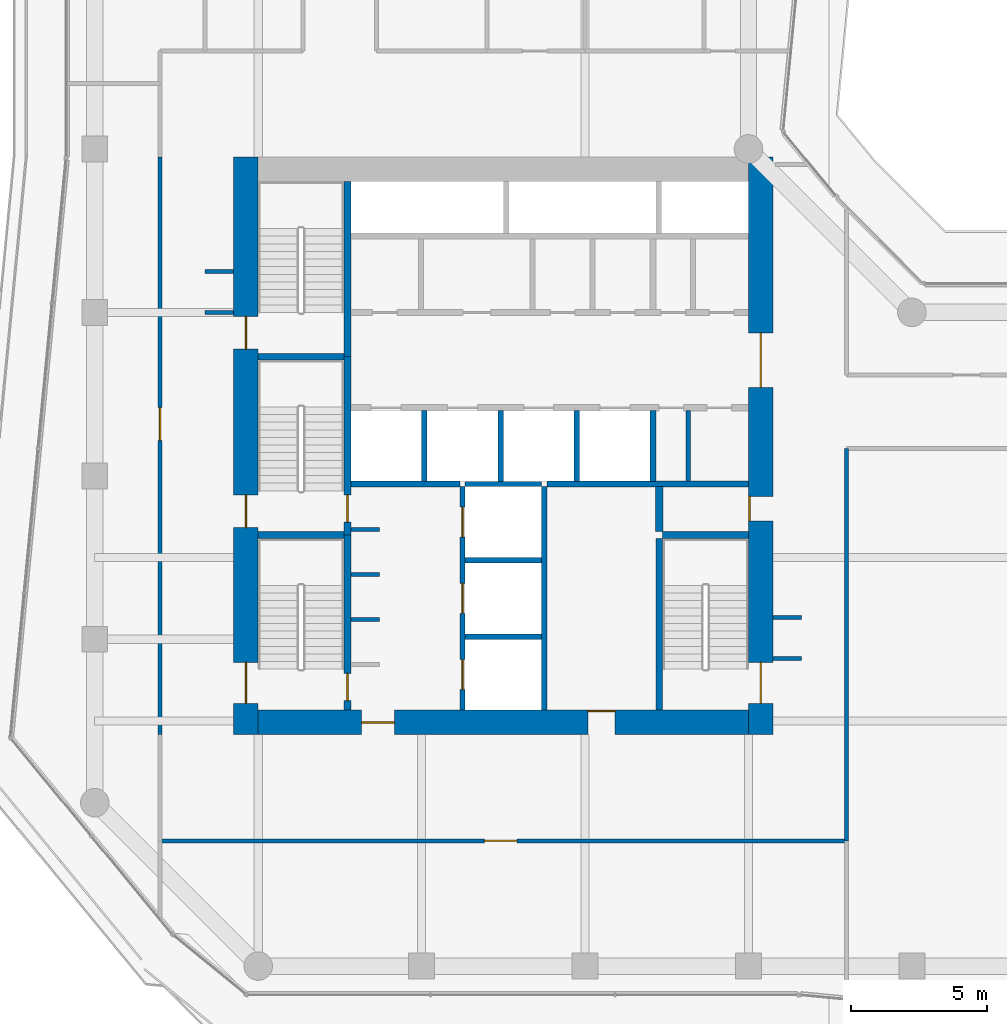
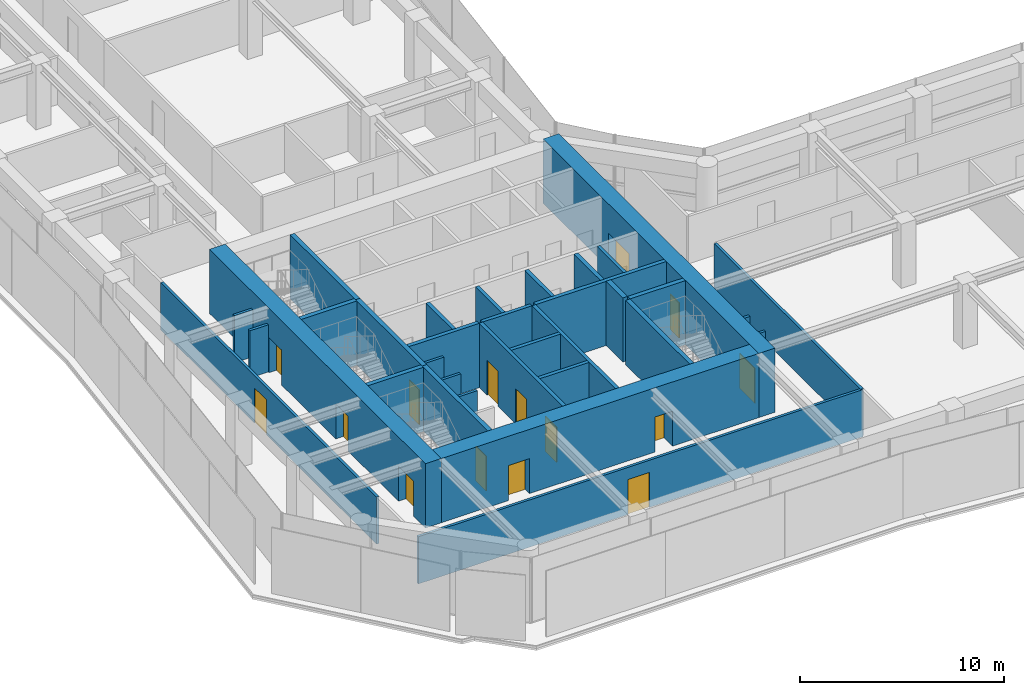
# One storey, part 25 of 31: 33 walls, 15 doors, 15 openings.
"""IFC4 building model written with IfcOpenShell, lengths in metres."""

from ifc_helpers import new_model, si_unit, direction, frame, frame_2d, origin, place, context, subcontext, project, spatial, rectangle, extrude, material, layer, layer_set, type_object, element, fill, save


model = new_model("IFC4")

# Units and contexts
model_context = context("Model", 3, precision=1e-05, world=origin(), true_north=direction((0.0, 1.0)))
body_context = subcontext(model_context, "Body", "Model", "MODEL_VIEW")
ifc_project = project(units=[si_unit("LENGTHUNIT", "METRE"), si_unit("AREAUNIT", "SQUARE_METRE"), si_unit("VOLUMEUNIT", "CUBIC_METRE"), si_unit("PLANEANGLEUNIT", "RADIAN"), si_unit("MASSUNIT", "GRAM", prefix="KILO")], contexts=[model_context])

# Site, building, storey
site_placement = place(None, origin())
site = spatial("IfcSite", under=ifc_project, at=site_placement, CompositionType="ELEMENT")
building_placement = place(site_placement, origin())
building = spatial("IfcBuilding", under=site, at=building_placement, Name="Welwitschia Terrace Campus", CompositionType="ELEMENT")
storey_placement = place(building_placement, frame((0.0, 0.0, 29.0)))
storey = spatial("IfcBuildingStorey", under=building, at=storey_placement, Name="L06", CompositionType="ELEMENT", Elevation=29.0)

# Walls
ifc_material_1 = material(Name="Concrete C32/40", Category="concrete")
ifc_layer_1 = layer(ifc_material_1, 0.175048828125)
ifc_layer_set_1 = layer_set([ifc_layer_1], Name="Concrete C32/40")
wall_type_1 = type_object("IfcWallType", Name="Core partition 175 Concrete C32/40", PredefinedType="PARTITIONING", material=ifc_layer_set_1)
wall_1_placement = place(storey_placement, frame((21.7900390625, 13.800048828125, 0.0), z_axis=(0.0, 0.0, 1.0), x_axis=(0.0, 1.0, 0.0)))
element("IfcWall", 1, at=wall_1_placement, inside=storey, type_object=wall_type_1, Name="Core partition", PredefinedType="PARTITIONING", context=body_context, shape_type="SweptSolid", body=[
    extrude(rectangle(XDim=2.599853515625, YDim=0.175048828125, at=frame_2d((1.2998046875, 0.0))), origin(), (0.0, 0.0, 1.0), 3.85009765625),
])
ifc_material_2 = material(Name="Concrete C32/40", Category="concrete")
ifc_layer_2 = layer(ifc_material_2, 0.22509765625)
ifc_layer_set_2 = layer_set([ifc_layer_2], Name="Concrete C32/40")
wall_type_2 = type_object("IfcWallType", Name="Core partition 225 Concrete C32/40", PredefinedType="PARTITIONING", material=ifc_layer_set_2)
wall_2_placement = place(storey_placement, frame((9.39990234375, 13.699951171875, 0.0), z_axis=(0.0, 0.0, 1.0), x_axis=(1.0, 0.0, 0.0)))
element("IfcWall", 2, at=wall_2_placement, inside=storey, type_object=wall_type_2, Name="Shaft wall", PredefinedType="PARTITIONING", context=body_context, shape_type="SweptSolid", body=[
    extrude(rectangle(XDim=4.0, YDim=0.22509765625, at=frame_2d((2.0, 0.0))), origin(), (0.0, 0.0, 1.0), 3.85009765625),
])
wall_3_placement = place(storey_placement, frame((16.60009765625, 13.699951171875, 0.0), z_axis=(0.0, 0.0, 1.0), x_axis=(1.0, 0.0, 0.0)))
element("IfcWall", 3, at=wall_3_placement, inside=storey, type_object=wall_type_2, Name="Shaft wall", PredefinedType="PARTITIONING", context=body_context, shape_type="SweptSolid", body=[
    extrude(rectangle(XDim=7.39990234375, YDim=0.22509765625, at=frame_2d((3.699951171875, 0.0))), origin(), (0.0, 0.0, 1.0), 3.85009765625),
])
wall_4_placement = place(storey_placement, frame((20.5, 13.800048828125, 0.0), z_axis=(0.0, 0.0, 1.0), x_axis=(0.0, 1.0, 0.0)))
element("IfcWall", 4, at=wall_4_placement, inside=storey, type_object=wall_type_2, Name="Shaft wall", PredefinedType="PARTITIONING", context=body_context, shape_type="SweptSolid", body=[
    extrude(rectangle(XDim=2.599853515625, YDim=0.22509765625, at=frame_2d((1.2998046875, 0.0))), origin(), (0.0, 0.0, 1.0), 3.85009765625),
])
ifc_material_3 = material(Name="Concrete C32/40", Category="concrete")
ifc_layer_3 = layer(ifc_material_3, 0.27490234375)
ifc_layer_set_3 = layer_set([ifc_layer_3], Name="Concrete C32/40")
wall_type_3 = type_object("IfcWallType", Name="Core partition 275 Concrete C32/40", PredefinedType="PARTITIONING", material=ifc_layer_set_3)
wall_5_placement = place(storey_placement, frame((20.72509765625, 11.949951171875, 0.0), z_axis=(0.0, 0.0, 1.0), x_axis=(0.0, 1.0, 0.0)))
element("IfcWall", 5, at=wall_5_placement, inside=storey, type_object=wall_type_3, Name="Core partition", PredefinedType="PARTITIONING", context=body_context, shape_type="SweptSolid", body=[
    extrude(rectangle(XDim=1.650146484375, YDim=0.27490234375, at=frame_2d((0.8251953125, 0.0))), origin(), (0.0, 0.0, 1.0), 3.85009765625),
])
ifc_material_4 = material(Name="Concrete C50/60", Category="concrete")
ifc_layer_4 = layer(ifc_material_4, 0.14990234375)
ifc_layer_set_4 = layer_set([ifc_layer_4], Name="Concrete C50/60")
wall_type_4 = type_object("IfcWallType", Name="Core wall 150 Concrete C50/60", PredefinedType="SHEAR", material=ifc_layer_set_4)
for number, where, z_axis, x_axis, name in (
    (6, (9.39990234375, 8.72509765625, 0.0), (0.0, 0.0, 1.0), (1.0, 0.0, 0.0), "Core wall"),
    (7, (9.39990234375, 10.375, 0.0), (0.0, 0.0, 1.0), (1.0, 0.0, 0.0), "Core wall"),
    (8, (9.39990234375, 12.02490234375, 0.0), (0.0, 0.0, 1.0), (1.0, 0.0, 0.0), "Core wall"),
):
    element("IfcWall", number, at=place(storey_placement, frame(where, z_axis=z_axis, x_axis=x_axis)), inside=storey, type_object=wall_type_4, Name=name, PredefinedType="SHEAR", context=body_context, shape_type="SweptSolid", body=[
        extrude(rectangle(XDim=1.050048828125, YDim=0.14990234375, at=frame_2d((0.52490234375, 0.0))), origin(), (0.0, 0.0, 1.0), 3.85009765625),
    ])
ifc_material_5 = material(Name="Concrete C50/60", Category="concrete")
ifc_layer_5 = layer(ifc_material_5, 0.199951171875)
ifc_layer_set_5 = layer_set([ifc_layer_5], Name="Concrete C50/60")
wall_type_5 = type_object("IfcWallType", Name="Core wall 200 Concrete C50/60", PredefinedType="SHEAR", material=ifc_layer_set_5)
for number, where, z_axis, x_axis, name in (
    (9, (13.60009765625, 8.10009765625, 0.0), (0.0, 0.0, 1.0), (1.0, 0.0, 0.0), "Core wall"),
    (10, (13.60009765625, 10.89990234375, 0.0), (0.0, 0.0, 1.0), (1.0, 0.0, 0.0), "Core wall"),
    (11, (13.60009765625, 13.699951171875, 0.0), (0.0, 0.0, 1.0), (1.0, 0.0, 0.0), "Core wall"),
):
    element("IfcWall", number, at=place(storey_placement, frame(where, z_axis=z_axis, x_axis=x_axis)), inside=storey, type_object=wall_type_5, Name=name, PredefinedType="SHEAR", context=body_context, shape_type="SweptSolid", body=[
        extrude(rectangle(XDim=2.7998046875, YDim=0.199951171875, at=frame_2d((1.39990234375, 0.0))), origin(), (0.0, 0.0, 1.0), 3.85009765625),
    ])

# Wall, openings, doors
wall_6_placement = place(storey_placement, frame((13.5, 5.39990234375, 0.0), z_axis=(0.0, 0.0, 1.0), x_axis=(0.0, 1.0, 0.0)))
wall_6 = element("IfcWall", 12, at=wall_6_placement, inside=storey, type_object=wall_type_5, Name="Core wall", PredefinedType="SHEAR", context=body_context, shape_type="SweptSolid", body=[
    extrude(rectangle(XDim=8.2001953125, YDim=0.199951171875, at=frame_2d((4.10009765625, 0.0))), origin(), (0.0, 0.0, 1.0), 3.85009765625),
])
opening_1_placement = place(wall_6_placement, frame((0.75, 0.0, 0.0)))
opening_1 = element("IfcOpeningElement", 13, at=opening_1_placement, cuts=wall_6, Name="Opening LD", PredefinedType="OPENING", context=body_context, shape_type="SweptSolid", body=[
    extrude(rectangle(XDim=1.10009765625, YDim=2.10009765625, at=frame_2d((0.550048828125, 1.050048828125))), frame((0.0, 0.10986328125, 0.0), z_axis=(0.0, -1.0, 0.0), x_axis=(1.0, 0.0, 0.0)), (0.0, 0.0, 1.0), 0.219970703125),
])
opening_2_placement = place(wall_6_placement, frame((3.550048828125, 0.0, 0.0)))
opening_2 = element("IfcOpeningElement", 14, at=opening_2_placement, cuts=wall_6, Name="Opening LD", PredefinedType="OPENING", context=body_context, shape_type="SweptSolid", body=[
    extrude(rectangle(XDim=1.10009765625, YDim=2.10009765625, at=frame_2d((0.550048828125, 1.050048828125))), frame((0.0, 0.10986328125, 0.0), z_axis=(0.0, -1.0, 0.0), x_axis=(1.0, 0.0, 0.0)), (0.0, 0.0, 1.0), 0.219970703125),
])
opening_3_placement = place(wall_6_placement, frame((6.35009765625, 0.0, 0.0)))
opening_3 = element("IfcOpeningElement", 15, at=opening_3_placement, cuts=wall_6, Name="Opening LD", PredefinedType="OPENING", context=body_context, shape_type="SweptSolid", body=[
    extrude(rectangle(XDim=1.10009765625, YDim=2.10009765625, at=frame_2d((0.550048828125, 1.050048828125))), frame((0.0, 0.10986328125, 0.0), z_axis=(0.0, -1.0, 0.0), x_axis=(1.0, 0.0, 0.0)), (0.0, 0.0, 1.0), 0.219970703125),
])
ifc_material_6 = material(Name="Stainless steel 304", Category="steel")
door_type_1 = type_object("IfcDoorType", Name="Lift landing door", OperationType="DOUBLE_DOOR_SLIDING", PredefinedType="DOOR", material=ifc_material_6)
door_1_placement = place(opening_1_placement, origin())
door_1 = element("IfcDoor", 16, at=door_1_placement, inside=storey, type_object=door_type_1, Name="Landing door FF1", OperationType="DOUBLE_DOOR_SLIDING", OverallHeight=2.10009765625, OverallWidth=1.10009765625, PredefinedType="DOOR", context=body_context, shape_type="SweptSolid", body=[
    extrude(rectangle(XDim=1.10009765625, YDim=2.10009765625, at=frame_2d((0.550048828125, 1.050048828125))), frame((0.0, 0.02490234375, 0.0), z_axis=(0.0, -1.0, 0.0), x_axis=(1.0, 0.0, 0.0)), (0.0, 0.0, 1.0), 0.050048828125),
])
fill(opening_1, door_1)
door_2_placement = place(opening_2_placement, origin())
door_2 = element("IfcDoor", 17, at=door_2_placement, inside=storey, type_object=door_type_1, Name="Landing door FF2", OperationType="DOUBLE_DOOR_SLIDING", OverallHeight=2.10009765625, OverallWidth=1.10009765625, PredefinedType="DOOR", context=body_context, shape_type="SweptSolid", body=[
    extrude(rectangle(XDim=1.10009765625, YDim=2.10009765625, at=frame_2d((0.550048828125, 1.050048828125))), frame((0.0, 0.02490234375, 0.0), z_axis=(0.0, -1.0, 0.0), x_axis=(1.0, 0.0, 0.0)), (0.0, 0.0, 1.0), 0.050048828125),
])
fill(opening_2, door_2)
door_3_placement = place(opening_3_placement, origin())
door_3 = element("IfcDoor", 18, at=door_3_placement, inside=storey, type_object=door_type_1, Name="Landing door SV1", OperationType="DOUBLE_DOOR_SLIDING", OverallHeight=2.10009765625, OverallWidth=1.10009765625, PredefinedType="DOOR", context=body_context, shape_type="SweptSolid", body=[
    extrude(rectangle(XDim=1.10009765625, YDim=2.10009765625, at=frame_2d((0.550048828125, 1.050048828125))), frame((0.0, 0.02490234375, 0.0), z_axis=(0.0, -1.0, 0.0), x_axis=(1.0, 0.0, 0.0)), (0.0, 0.0, 1.0), 0.050048828125),
])
fill(opening_3, door_3)

# Walls
wall_7_placement = place(storey_placement, frame((16.5, 5.39990234375, 0.0), z_axis=(0.0, 0.0, 1.0), x_axis=(0.0, 1.0, 0.0)))
element("IfcWall", 19, at=wall_7_placement, inside=storey, type_object=wall_type_5, Name="Core wall", PredefinedType="SHEAR", context=body_context, shape_type="SweptSolid", body=[
    extrude(rectangle(XDim=8.2001953125, YDim=0.199951171875, at=frame_2d((4.10009765625, 0.0))), origin(), (0.0, 0.0, 1.0), 3.85009765625),
])
ifc_material_7 = material(Name="Concrete C50/60", Category="concrete")
ifc_layer_6 = layer(ifc_material_7, 0.25)
ifc_layer_set_6 = layer_set([ifc_layer_6], Name="Concrete C50/60")
wall_type_6 = type_object("IfcWallType", Name="Core wall 250 Concrete C50/60", PredefinedType="SHEAR", material=ifc_layer_set_6)
for number, where, z_axis, x_axis, name in (
    (20, (6.0, 11.824951171875, 0.0), (0.0, 0.0, 1.0), (1.0, 0.0, 0.0), "Core wall"),
    (21, (20.85009765625, 11.824951171875, 0.0), (0.0, 0.0, 1.0), (1.0, 0.0, 0.0), "Core wall"),
    (22, (6.0, 18.375, 0.0), (0.0, 0.0, 1.0), (1.0, 0.0, 0.0), "Core wall"),
):
    element("IfcWall", number, at=place(storey_placement, frame(where, z_axis=z_axis, x_axis=x_axis)), inside=storey, type_object=wall_type_6, Name=name, PredefinedType="SHEAR", context=body_context, shape_type="SweptSolid", body=[
        extrude(rectangle(XDim=3.14990234375, YDim=0.25, at=frame_2d((1.574951171875, 0.0))), origin(), (0.0, 0.0, 1.0), 3.85009765625),
    ])

# Wall, opening, door
wall_8_placement = place(storey_placement, frame((9.27490234375, 11.824951171875, 0.0), z_axis=(0.0, 0.0, 1.0), x_axis=(0.0, -1.0, 0.0)))
wall_8 = element("IfcWall", 23, at=wall_8_placement, inside=storey, type_object=wall_type_6, Name="Core wall", PredefinedType="SHEAR", context=body_context, shape_type="SweptSolid", body=[
    extrude(rectangle(XDim=6.425048828125, YDim=0.25, at=frame_2d((3.21240234375, 0.0))), origin(), (0.0, 0.0, 1.0), 3.85009765625),
])
opening_4_placement = place(wall_8_placement, frame((5.074951171875, 0.0, 0.0)))
opening_4 = element("IfcOpeningElement", 24, at=opening_4_placement, cuts=wall_8, Name="Opening DS10", PredefinedType="OPENING", context=body_context, shape_type="SweptSolid", body=[
    extrude(rectangle(XDim=1.0, YDim=2.10009765625, at=frame_2d((0.5, 1.050048828125))), frame((0.0, 0.135009765625, 0.0), z_axis=(0.0, -1.0, 0.0), x_axis=(1.0, 0.0, 0.0)), (0.0, 0.0, 1.0), 0.27001953125),
])
ifc_material_8 = material(Name="Steel S275", Category="steel")
door_type_2 = type_object("IfcDoorType", Name="Core door DS10", OperationType="SINGLE_SWING_LEFT", PredefinedType="DOOR", material=ifc_material_8)
door_4_placement = place(opening_4_placement, origin())
door_4 = element("IfcDoor", 25, at=door_4_placement, inside=storey, type_object=door_type_2, Name="Door S1-FL", OperationType="SINGLE_SWING_RIGHT", OverallHeight=2.10009765625, OverallWidth=1.0, PredefinedType="DOOR", context=body_context, shape_type="SweptSolid", body=[
    extrude(rectangle(XDim=1.0, YDim=2.10009765625, at=frame_2d((0.5, 1.050048828125))), frame((0.0, 0.02490234375, 0.0), z_axis=(0.0, -1.0, 0.0), x_axis=(1.0, 0.0, 0.0)), (0.0, 0.0, 1.0), 0.050048828125),
])
fill(opening_4, door_4)

wall_9_placement = place(storey_placement, frame((9.27490234375, 18.375, 0.0), z_axis=(0.0, 0.0, 1.0), x_axis=(0.0, -1.0, 0.0)))
wall_9 = element("IfcWall", 26, at=wall_9_placement, inside=storey, type_object=wall_type_6, Name="Core wall", PredefinedType="SHEAR", context=body_context, shape_type="SweptSolid", body=[
    extrude(rectangle(XDim=6.550048828125, YDim=0.25, at=frame_2d((3.27490234375, 0.0))), origin(), (0.0, 0.0, 1.0), 3.85009765625),
])
opening_5_placement = place(wall_9_placement, frame((5.074951171875, 0.0, 0.0)))
opening_5 = element("IfcOpeningElement", 27, at=opening_5_placement, cuts=wall_9, Name="Opening DS10", PredefinedType="OPENING", context=body_context, shape_type="SweptSolid", body=[
    extrude(rectangle(XDim=1.0, YDim=2.10009765625, at=frame_2d((0.5, 1.050048828125))), frame((0.0, 0.135009765625, 0.0), z_axis=(0.0, -1.0, 0.0), x_axis=(1.0, 0.0, 0.0)), (0.0, 0.0, 1.0), 0.27001953125),
])
door_5_placement = place(opening_5_placement, origin())
door_5 = element("IfcDoor", 28, at=door_5_placement, inside=storey, type_object=door_type_2, Name="Door S3-FL", OperationType="SINGLE_SWING_RIGHT", OverallHeight=2.10009765625, OverallWidth=1.0, PredefinedType="DOOR", context=body_context, shape_type="SweptSolid", body=[
    extrude(rectangle(XDim=1.0, YDim=2.10009765625, at=frame_2d((0.5, 1.050048828125))), frame((0.0, 0.02490234375, 0.0), z_axis=(0.0, -1.0, 0.0), x_axis=(1.0, 0.0, 0.0)), (0.0, 0.0, 1.0), 0.050048828125),
])
fill(opening_5, door_5)

# Walls
wall_10_placement = place(storey_placement, frame((9.27490234375, 18.375, 0.0), z_axis=(0.0, 0.0, 1.0), x_axis=(0.0, 1.0, 0.0)))
element("IfcWall", 29, at=wall_10_placement, inside=storey, type_object=wall_type_6, Name="Core wall", PredefinedType="SHEAR", context=body_context, shape_type="SweptSolid", body=[
    extrude(rectangle(XDim=6.425048828125, YDim=0.25, at=frame_2d((3.21240234375, 0.0))), origin(), (0.0, 0.0, 1.0), 3.85009765625),
])
wall_11_placement = place(storey_placement, frame((20.72509765625, 5.39990234375, 0.0), z_axis=(0.0, 0.0, 1.0), x_axis=(0.0, 1.0, 0.0)))
element("IfcWall", 30, at=wall_11_placement, inside=storey, type_object=wall_type_6, Name="Core wall", PredefinedType="SHEAR", context=body_context, shape_type="SweptSolid", body=[
    extrude(rectangle(XDim=6.300048828125, YDim=0.25, at=frame_2d((3.14990234375, 0.0))), origin(), (0.0, 0.0, 1.0), 3.85009765625),
])

# Wall, openings, doors
ifc_material_9 = material(Name="Concrete C70/85", Category="concrete")
ifc_layer_7 = layer(ifc_material_9, 0.89990234375)
ifc_layer_set_7 = layer_set([ifc_layer_7], Name="Concrete C70/85")
wall_type_7 = type_object("IfcWallType", Name="Core wall 900 Concrete C70/85", PredefinedType="SHEAR", material=ifc_layer_set_7)
wall_12_placement = place(storey_placement, frame((5.550048828125, 4.5, 0.0), z_axis=(0.0, 0.0, 1.0), x_axis=(0.0, 1.0, 0.0)))
wall_12 = element("IfcWall", 31, at=wall_12_placement, inside=storey, type_object=wall_type_7, Name="Core outer wall", PredefinedType="SHEAR", context=body_context, shape_type="SweptSolid", body=[
    extrude(rectangle(XDim=21.199951171875, YDim=0.89990234375, at=frame_2d((10.60009765625, 0.0))), origin(), (0.0, 0.0, 1.0), 3.85009765625),
])
opening_6_placement = place(wall_12_placement, frame((1.14990234375, 0.0, 0.0)))
opening_6 = element("IfcOpeningElement", 32, at=opening_6_placement, cuts=wall_12, Name="Opening DS15", PredefinedType="OPENING", context=body_context, shape_type="SweptSolid", body=[
    extrude(rectangle(XDim=1.5, YDim=2.10009765625, at=frame_2d((0.75, 1.050048828125))), frame((0.0, 0.4599609375, 0.0), z_axis=(0.0, -1.0, 0.0), x_axis=(1.0, 0.0, 0.0)), (0.0, 0.0, 1.0), 0.919921875),
])
opening_7_placement = place(wall_12_placement, frame((7.60009765625, 0.0, 0.0)))
opening_7 = element("IfcOpeningElement", 33, at=opening_7_placement, cuts=wall_12, Name="Opening DS12", PredefinedType="OPENING", context=body_context, shape_type="SweptSolid", body=[
    extrude(rectangle(XDim=1.199951171875, YDim=2.10009765625, at=frame_2d((0.60009765625, 1.050048828125))), frame((0.0, 0.4599609375, 0.0), z_axis=(0.0, -1.0, 0.0), x_axis=(1.0, 0.0, 0.0)), (0.0, 0.0, 1.0), 0.919921875),
])
opening_8_placement = place(wall_12_placement, frame((14.14990234375, 0.0, 0.0)))
opening_8 = element("IfcOpeningElement", 34, at=opening_8_placement, cuts=wall_12, Name="Opening DS12", PredefinedType="OPENING", context=body_context, shape_type="SweptSolid", body=[
    extrude(rectangle(XDim=1.199951171875, YDim=2.10009765625, at=frame_2d((0.60009765625, 1.050048828125))), frame((0.0, 0.4599609375, 0.0), z_axis=(0.0, -1.0, 0.0), x_axis=(1.0, 0.0, 0.0)), (0.0, 0.0, 1.0), 0.919921875),
])
ifc_material_10 = material(Name="Steel S275", Category="steel")
door_type_3 = type_object("IfcDoorType", Name="Core door DS12", OperationType="SINGLE_SWING_LEFT", PredefinedType="DOOR", material=ifc_material_10)
door_6_placement = place(opening_7_placement, origin())
door_6 = element("IfcDoor", 35, at=door_6_placement, inside=storey, type_object=door_type_3, Name="Door S3-out", OperationType="SINGLE_SWING_LEFT", OverallHeight=2.10009765625, OverallWidth=1.199951171875, PredefinedType="DOOR", context=body_context, shape_type="SweptSolid", body=[
    extrude(rectangle(XDim=1.199951171875, YDim=2.10009765625, at=frame_2d((0.60009765625, 1.050048828125))), frame((0.0, 0.02490234375, 0.0), z_axis=(0.0, -1.0, 0.0), x_axis=(1.0, 0.0, 0.0)), (0.0, 0.0, 1.0), 0.050048828125),
])
fill(opening_7, door_6)
door_7_placement = place(opening_8_placement, origin())
door_7 = element("IfcDoor", 36, at=door_7_placement, inside=storey, type_object=door_type_3, Name="Door S4-out", OperationType="SINGLE_SWING_RIGHT", OverallHeight=2.10009765625, OverallWidth=1.199951171875, PredefinedType="DOOR", context=body_context, shape_type="SweptSolid", body=[
    extrude(rectangle(XDim=1.199951171875, YDim=2.10009765625, at=frame_2d((0.60009765625, 1.050048828125))), frame((0.0, 0.02490234375, 0.0), z_axis=(0.0, -1.0, 0.0), x_axis=(1.0, 0.0, 0.0)), (0.0, 0.0, 1.0), 0.050048828125),
])
fill(opening_8, door_7)
ifc_material_11 = material(Name="Steel S275", Category="steel")
door_type_4 = type_object("IfcDoorType", Name="Core door DS15", OperationType="DOUBLE_DOOR_SINGLE_SWING", PredefinedType="DOOR", material=ifc_material_11)
door_8_placement = place(opening_6_placement, origin())
door_8 = element("IfcDoor", 37, at=door_8_placement, inside=storey, type_object=door_type_4, Name="Door S1-out", OperationType="DOUBLE_DOOR_SINGLE_SWING", OverallHeight=2.10009765625, OverallWidth=1.5, PredefinedType="DOOR", context=body_context, shape_type="SweptSolid", body=[
    extrude(rectangle(XDim=1.5, YDim=2.10009765625, at=frame_2d((0.75, 1.050048828125))), frame((0.0, 0.02490234375, 0.0), z_axis=(0.0, -1.0, 0.0), x_axis=(1.0, 0.0, 0.0)), (0.0, 0.0, 1.0), 0.050048828125),
])
fill(opening_6, door_8)

wall_13_placement = place(storey_placement, frame((24.449951171875, 25.699951171875, 0.0), z_axis=(0.0, 0.0, 1.0), x_axis=(0.0, -1.0, 0.0)))
wall_13 = element("IfcWall", 38, at=wall_13_placement, inside=storey, type_object=wall_type_7, Name="Core outer wall", PredefinedType="SHEAR", context=body_context, shape_type="SweptSolid", body=[
    extrude(rectangle(XDim=21.199951171875, YDim=0.89990234375, at=frame_2d((10.60009765625, 0.0))), origin(), (0.0, 0.0, 1.0), 3.85009765625),
])
opening_9_placement = place(wall_13_placement, frame((18.550048828125, 0.0, 0.0)))
opening_9 = element("IfcOpeningElement", 39, at=opening_9_placement, cuts=wall_13, Name="Opening DS15", PredefinedType="OPENING", context=body_context, shape_type="SweptSolid", body=[
    extrude(rectangle(XDim=1.5, YDim=2.10009765625, at=frame_2d((0.75, 1.050048828125))), frame((0.0, 0.4599609375, 0.0), z_axis=(0.0, -1.0, 0.0), x_axis=(1.0, 0.0, 0.0)), (0.0, 0.0, 1.0), 0.919921875),
])
opening_10_placement = place(wall_13_placement, frame((12.449951171875, 0.0, 0.0)))
opening_10 = element("IfcOpeningElement", 40, at=opening_10_placement, cuts=wall_13, Name="Opening DR09", PredefinedType="OPENING", context=body_context, shape_type="SweptSolid", body=[
    extrude(rectangle(XDim=0.89990234375, YDim=2.10009765625, at=frame_2d((0.449951171875, 1.050048828125))), frame((0.0, 0.4599609375, 0.0), z_axis=(0.0, -1.0, 0.0), x_axis=(1.0, 0.0, 0.0)), (0.0, 0.0, 1.0), 0.919921875),
])
opening_11_placement = place(wall_13_placement, frame((6.449951171875, 0.0, 0.0)))
opening_11 = element("IfcOpeningElement", 41, at=opening_11_placement, cuts=wall_13, Name="Opening DL20", PredefinedType="OPENING", context=body_context, shape_type="SweptSolid", body=[
    extrude(rectangle(XDim=2.0, YDim=2.10009765625, at=frame_2d((1.0, 1.050048828125))), frame((0.0, 0.4599609375, 0.0), z_axis=(0.0, -1.0, 0.0), x_axis=(1.0, 0.0, 0.0)), (0.0, 0.0, 1.0), 0.919921875),
])
ifc_material_12 = material(Name="Steel S275", Category="steel")
door_type_5 = type_object("IfcDoorType", Name="Core door DL20", OperationType="DOUBLE_DOOR_SINGLE_SWING", PredefinedType="DOOR", material=ifc_material_12)
door_9_placement = place(opening_11_placement, origin())
door_9 = element("IfcDoor", 42, at=door_9_placement, inside=storey, type_object=door_type_5, Name="Door LOBBY-out", OperationType="DOUBLE_DOOR_SINGLE_SWING", OverallHeight=2.10009765625, OverallWidth=2.0, PredefinedType="DOOR", context=body_context, shape_type="SweptSolid", body=[
    extrude(rectangle(XDim=2.0, YDim=2.10009765625, at=frame_2d((1.0, 1.050048828125))), frame((0.0, 0.02490234375, 0.0), z_axis=(0.0, -1.0, 0.0), x_axis=(1.0, 0.0, 0.0)), (0.0, 0.0, 1.0), 0.050048828125),
])
fill(opening_11, door_9)
ifc_material_13 = material(Name="Steel S275", Category="steel")
door_type_6 = type_object("IfcDoorType", Name="Core door DR09", OperationType="SINGLE_SWING_LEFT", PredefinedType="DOOR", material=ifc_material_13)
door_10_placement = place(opening_10_placement, origin())
door_10 = element("IfcDoor", 43, at=door_10_placement, inside=storey, type_object=door_type_6, Name="Door F1B-out", OperationType="SINGLE_SWING_RIGHT", OverallHeight=2.10009765625, OverallWidth=0.89990234375, PredefinedType="DOOR", context=body_context, shape_type="SweptSolid", body=[
    extrude(rectangle(XDim=0.89990234375, YDim=2.10009765625, at=frame_2d((0.449951171875, 1.050048828125))), frame((0.0, -0.39013671875, 0.0), z_axis=(0.0, -1.0, 0.0), x_axis=(1.0, 0.0, 0.0)), (0.0, 0.0, 1.0), 0.050048828125),
])
fill(opening_10, door_10)
door_11_placement = place(opening_9_placement, origin())
door_11 = element("IfcDoor", 44, at=door_11_placement, inside=storey, type_object=door_type_4, Name="Door S2-out", OperationType="DOUBLE_DOOR_SINGLE_SWING", OverallHeight=2.10009765625, OverallWidth=1.5, PredefinedType="DOOR", context=body_context, shape_type="SweptSolid", body=[
    extrude(rectangle(XDim=1.5, YDim=2.10009765625, at=frame_2d((0.75, 1.050048828125))), frame((0.0, 0.02490234375, 0.0), z_axis=(0.0, -1.0, 0.0), x_axis=(1.0, 0.0, 0.0)), (0.0, 0.0, 1.0), 0.050048828125),
])
fill(opening_9, door_11)

wall_14_placement = place(storey_placement, frame((24.0, 4.949951171875, 0.0), z_axis=(0.0, 0.0, 1.0), x_axis=(-1.0, 0.0, 0.0)))
wall_14 = element("IfcWall", 45, at=wall_14_placement, inside=storey, type_object=wall_type_7, Name="Core outer wall", PredefinedType="SHEAR", context=body_context, shape_type="SweptSolid", body=[
    extrude(rectangle(XDim=18.0, YDim=0.89990234375, at=frame_2d((9.0, 0.0))), origin(), (0.0, 0.0, 1.0), 3.85009765625),
])
opening_12_placement = place(wall_14_placement, frame((13.0, 0.0, 0.0)))
opening_12 = element("IfcOpeningElement", 46, at=opening_12_placement, cuts=wall_14, Name="Opening DF12", PredefinedType="OPENING", context=body_context, shape_type="SweptSolid", body=[
    extrude(rectangle(XDim=1.199951171875, YDim=2.10009765625, at=frame_2d((0.60009765625, 1.050048828125))), frame((0.0, 0.4599609375, 0.0), z_axis=(0.0, -1.0, 0.0), x_axis=(1.0, 0.0, 0.0)), (0.0, 0.0, 1.0), 0.919921875),
])
opening_13_placement = place(wall_14_placement, frame((4.89990234375, 0.0, 0.0)))
opening_13 = element("IfcOpeningElement", 47, at=opening_13_placement, cuts=wall_14, Name="Opening DR10", PredefinedType="OPENING", context=body_context, shape_type="SweptSolid", body=[
    extrude(rectangle(XDim=1.0, YDim=2.10009765625, at=frame_2d((0.5, 1.050048828125))), frame((0.0, 0.4599609375, 0.0), z_axis=(0.0, -1.0, 0.0), x_axis=(1.0, 0.0, 0.0)), (0.0, 0.0, 1.0), 0.919921875),
])
ifc_material_14 = material(Name="Steel S275", Category="steel")
door_type_7 = type_object("IfcDoorType", Name="Core door DF12", OperationType="SINGLE_SWING_LEFT", PredefinedType="DOOR", material=ifc_material_14)
door_12_placement = place(opening_12_placement, origin())
door_12 = element("IfcDoor", 48, at=door_12_placement, inside=storey, type_object=door_type_7, Name="Door FL-out", OperationType="SINGLE_SWING_RIGHT", OverallHeight=2.10009765625, OverallWidth=1.199951171875, PredefinedType="DOOR", context=body_context, shape_type="SweptSolid", body=[
    extrude(rectangle(XDim=1.199951171875, YDim=2.10009765625, at=frame_2d((0.60009765625, 1.050048828125))), frame((0.0, 0.02490234375, 0.0), z_axis=(0.0, -1.0, 0.0), x_axis=(1.0, 0.0, 0.0)), (0.0, 0.0, 1.0), 0.050048828125),
])
fill(opening_12, door_12)
ifc_material_15 = material(Name="Steel S275", Category="steel")
door_type_8 = type_object("IfcDoorType", Name="Core door DR10", OperationType="SINGLE_SWING_LEFT", PredefinedType="DOOR", material=ifc_material_15)
door_13_placement = place(opening_13_placement, origin())
door_13 = element("IfcDoor", 49, at=door_13_placement, inside=storey, type_object=door_type_8, Name="Door F1-out", OperationType="SINGLE_SWING_LEFT", OverallHeight=2.10009765625, OverallWidth=1.0, PredefinedType="DOOR", context=body_context, shape_type="SweptSolid", body=[
    extrude(rectangle(XDim=1.0, YDim=2.10009765625, at=frame_2d((0.5, 1.050048828125))), frame((0.0, -0.39013671875, 0.0), z_axis=(0.0, -1.0, 0.0), x_axis=(1.0, 0.0, 0.0)), (0.0, 0.0, 1.0), 0.050048828125),
])
fill(opening_13, door_13)

# Wall, opening, door
ifc_material_16 = material(Name="Gypsum board on steel studs", Category="steel")
ifc_layer_8 = layer(ifc_material_16, 0.14990234375)
ifc_layer_set_8 = layer_set([ifc_layer_8], Name="Gypsum board on steel studs")
wall_type_8 = type_object("IfcWallType", Name="Corridor partition 150 EI 30", PredefinedType="PARTITIONING", material=ifc_layer_set_8)
wall_15_placement = place(storey_placement, frame((2.39990234375, 4.5, 0.0), z_axis=(0.0, 0.0, 1.0), x_axis=(0.0, 1.0, 0.0)))
wall_15 = element("IfcWall", 50, at=wall_15_placement, inside=storey, type_object=wall_type_8, Name="Partition", PredefinedType="PARTITIONING", context=body_context, shape_type="SweptSolid", body=[
    extrude(rectangle(XDim=21.199951171875, YDim=0.14990234375, at=frame_2d((10.60009765625, 0.0))), origin(), (0.0, 0.0, 1.0), 2.830078125),
])
opening_14_placement = place(wall_15_placement, frame((10.800048828125, 0.0, 0.0)))
opening_14 = element("IfcOpeningElement", 51, at=opening_14_placement, cuts=wall_15, Name="Opening DI12", PredefinedType="OPENING", context=body_context, shape_type="SweptSolid", body=[
    extrude(rectangle(XDim=1.199951171875, YDim=2.10009765625, at=frame_2d((0.60009765625, 1.050048828125))), frame((0.0, 0.0849609375, 0.0), z_axis=(0.0, -1.0, 0.0), x_axis=(1.0, 0.0, 0.0)), (0.0, 0.0, 1.0), 0.169921875),
])
ifc_material_17 = material(Name="Timber veneered door", Category="wood")
door_type_9 = type_object("IfcDoorType", Name="Interior door DI12", OperationType="NOTDEFINED", PredefinedType="DOOR", material=ifc_material_17)
door_14_placement = place(opening_14_placement, origin())
door_14 = element("IfcDoor", 52, at=door_14_placement, inside=storey, type_object=door_type_9, Name="Door L06 148", OperationType="SINGLE_SWING_LEFT", OverallHeight=2.10009765625, OverallWidth=1.199951171875, PredefinedType="DOOR", context=body_context, shape_type="SweptSolid", body=[
    extrude(rectangle(XDim=1.199951171875, YDim=2.10009765625, at=frame_2d((0.60009765625, 1.050048828125))), frame((0.0, 0.02490234375, 0.0), z_axis=(0.0, -1.0, 0.0), x_axis=(1.0, 0.0, 0.0)), (0.0, 0.0, 1.0), 0.050048828125),
])
fill(opening_14, door_14)

# Walls
for number, where, z_axis, x_axis, name in (
    (53, (4.050048828125, 20.0, 0.0), (0.0, 0.0, 1.0), (1.0, 0.0, 0.0), "Partition"),
    (54, (4.050048828125, 21.5, 0.0), (0.0, 0.0, 1.0), (1.0, 0.0, 0.0), "Partition"),
    (55, (24.89990234375, 7.300048828125, 0.0), (0.0, 0.0, 1.0), (1.0, 0.0, 0.0), "Partition"),
    (56, (24.89990234375, 8.800048828125, 0.0), (0.0, 0.0, 1.0), (1.0, 0.0, 0.0), "Partition"),
):
    element("IfcWall", number, at=place(storey_placement, frame(where, z_axis=z_axis, x_axis=x_axis)), inside=storey, type_object=wall_type_8, Name=name, PredefinedType="PARTITIONING", context=body_context, shape_type="SweptSolid", body=[
        extrude(rectangle(XDim=1.050048828125, YDim=0.14990234375, at=frame_2d((0.52490234375, 0.0))), origin(), (0.0, 0.0, 1.0), 2.830078125),
    ])

# Wall, opening, door
wall_16_placement = place(storey_placement, frame((27.60009765625, 0.60009765625, 0.0), z_axis=(0.0, 0.0, 1.0), x_axis=(-1.0, 0.0, 0.0)))
wall_16 = element("IfcWall", 57, at=wall_16_placement, inside=storey, type_object=wall_type_8, Name="Partition", PredefinedType="PARTITIONING", context=body_context, shape_type="SweptSolid", body=[
    extrude(rectangle(XDim=25.2001953125, YDim=0.14990234375, at=frame_2d((12.60009765625, 0.0))), origin(), (0.0, 0.0, 1.0), 2.830078125),
])
opening_15_placement = place(wall_16_placement, frame((12.10009765625, 0.0, 0.0)))
opening_15 = element("IfcOpeningElement", 58, at=opening_15_placement, cuts=wall_16, Name="Opening DI12", PredefinedType="OPENING", context=body_context, shape_type="SweptSolid", body=[
    extrude(rectangle(XDim=1.199951171875, YDim=2.10009765625, at=frame_2d((0.60009765625, 1.050048828125))), frame((0.0, 0.0849609375, 0.0), z_axis=(0.0, -1.0, 0.0), x_axis=(1.0, 0.0, 0.0)), (0.0, 0.0, 1.0), 0.169921875),
])
door_15_placement = place(opening_15_placement, origin())
door_15 = element("IfcDoor", 59, at=door_15_placement, inside=storey, type_object=door_type_9, Name="Door L06 159", OperationType="SINGLE_SWING_RIGHT", OverallHeight=2.10009765625, OverallWidth=1.199951171875, PredefinedType="DOOR", context=body_context, shape_type="SweptSolid", body=[
    extrude(rectangle(XDim=1.199951171875, YDim=2.10009765625, at=frame_2d((0.60009765625, 1.050048828125))), frame((0.0, 0.02490234375, 0.0), z_axis=(0.0, -1.0, 0.0), x_axis=(1.0, 0.0, 0.0)), (0.0, 0.0, 1.0), 0.050048828125),
])
fill(opening_15, door_15)

# Walls
wall_17_placement = place(storey_placement, frame((27.60009765625, 0.60009765625, 0.0), z_axis=(0.0, 0.0, 1.0), x_axis=(0.0, 1.0, 0.0)))
element("IfcWall", 60, at=wall_17_placement, inside=storey, type_object=wall_type_8, Name="Partition", PredefinedType="PARTITIONING", context=body_context, shape_type="SweptSolid", body=[
    extrude(rectangle(XDim=14.39990234375, YDim=0.14990234375, at=frame_2d((7.199951171875, 0.0))), origin(), (0.0, 0.0, 1.0), 2.830078125),
])
ifc_material_18 = material(Name="Concrete C32/40", Category="concrete")
ifc_layer_9 = layer(ifc_material_18, 0.199951171875)
ifc_layer_set_9 = layer_set([ifc_layer_9], Name="Concrete C32/40")
wall_type_9 = type_object("IfcWallType", Name="Shaft wall 200 Concrete C32/40", PredefinedType="SOLIDWALL", material=ifc_layer_set_9)
for number, where, z_axis, x_axis, name in (
    (61, (12.10009765625, 13.800048828125, 0.0), (0.0, 0.0, 1.0), (0.0, 1.0, 0.0), "Shaft wall"),
    (62, (14.89990234375, 13.800048828125, 0.0), (0.0, 0.0, 1.0), (0.0, 1.0, 0.0), "Shaft wall"),
    (63, (17.699951171875, 13.800048828125, 0.0), (0.0, 0.0, 1.0), (0.0, 1.0, 0.0), "Shaft wall"),
):
    element("IfcWall", number, at=place(storey_placement, frame(where, z_axis=z_axis, x_axis=x_axis)), inside=storey, type_object=wall_type_9, Name=name, PredefinedType="SOLIDWALL", context=body_context, shape_type="SweptSolid", body=[
        extrude(rectangle(XDim=2.599853515625, YDim=0.199951171875, at=frame_2d((1.2998046875, 0.0))), origin(), (0.0, 0.0, 1.0), 3.85009765625),
    ])

save(model, "model.ifc")
